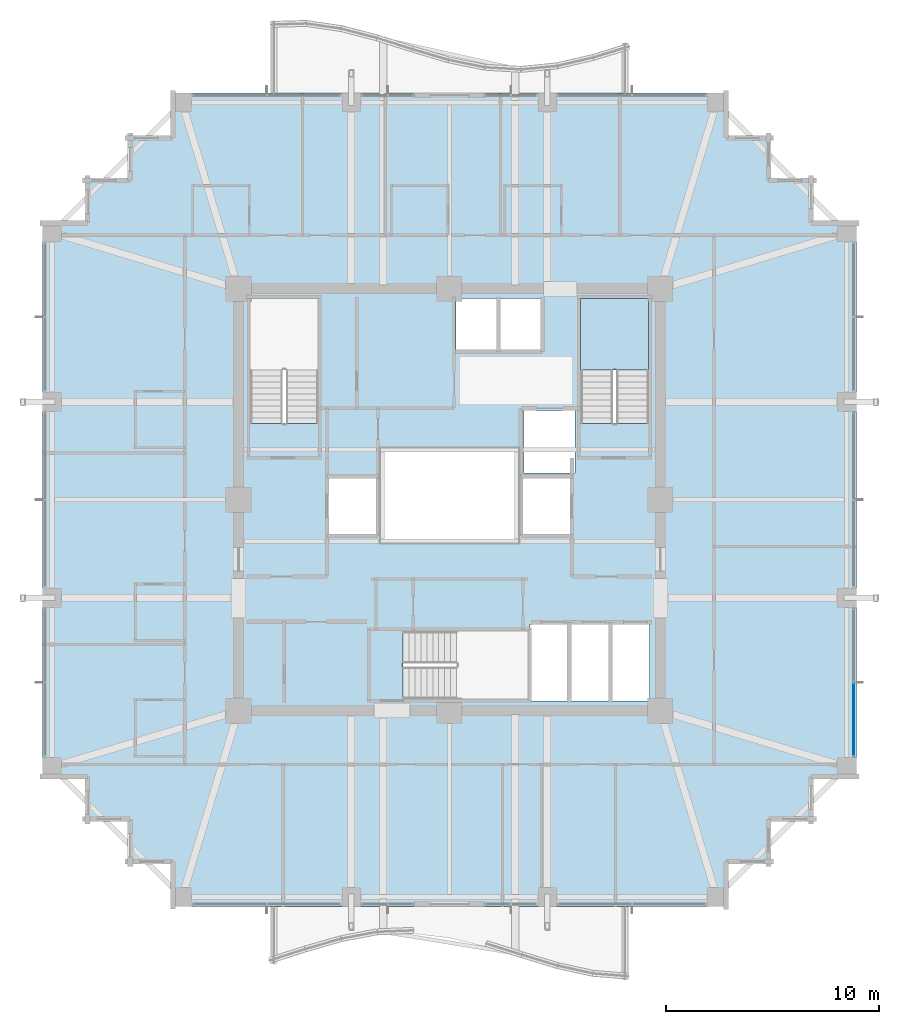
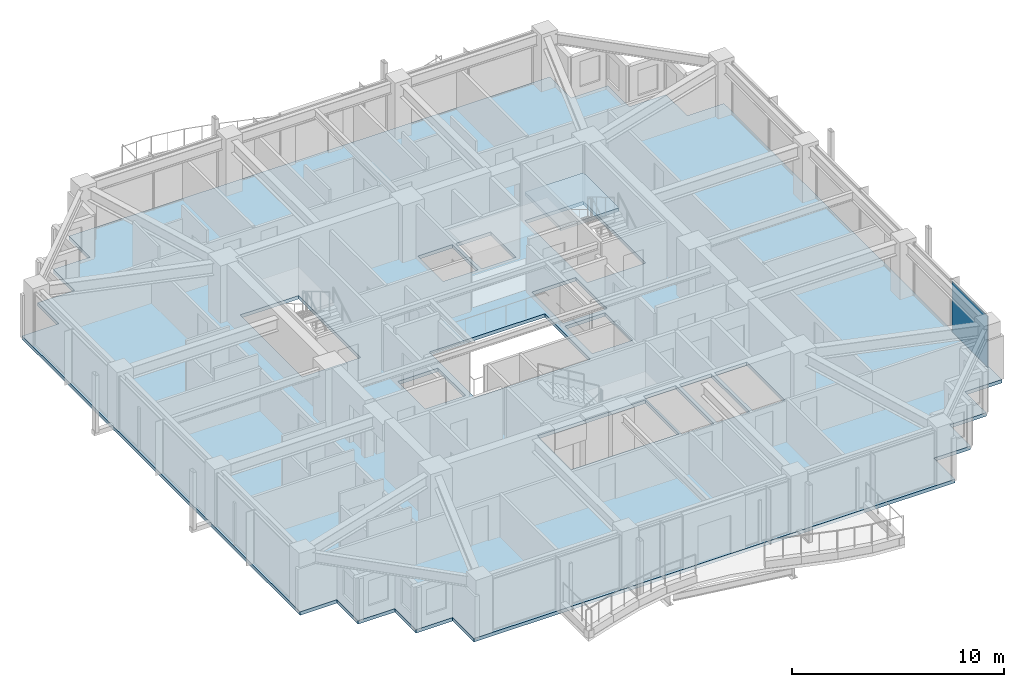
# One storey, part 23 of 32: 2 slabs, 1 plate, 2 elements without a shape of their own.
"""IFC4 building model written with IfcOpenShell, lengths in metres."""

from ifc_helpers import new_model, si_unit, direction, frame, origin, origin_2d, place, context, subcontext, project, spatial, polyline, rectangle, outline, extrude, material, layer, layer_set, type_object, element, aggregate, save


model = new_model("IFC4")

# Units and contexts
model_context = context("Model", 3, precision=1e-05, world=origin(), true_north=direction((0.0, 1.0)))
body_context = subcontext(model_context, "Body", "Model", "MODEL_VIEW")
ifc_project = project(units=[si_unit("LENGTHUNIT", "METRE"), si_unit("AREAUNIT", "SQUARE_METRE"), si_unit("VOLUMEUNIT", "CUBIC_METRE"), si_unit("PLANEANGLEUNIT", "RADIAN"), si_unit("MASSUNIT", "GRAM", prefix="KILO")], contexts=[model_context])

# Site, building, storey
site_placement = place(None, origin())
site = spatial("IfcSite", under=ifc_project, at=site_placement, CompositionType="ELEMENT")
building_placement = place(site_placement, origin())
building = spatial("IfcBuilding", under=site, at=building_placement, Name="Kolvaren Belvedere", CompositionType="ELEMENT")
storey_placement = place(building_placement, frame((0.0, 0.0, 160.199951171875)))
storey = spatial("IfcBuildingStorey", under=building, at=storey_placement, Name="L46", CompositionType="ELEMENT", Elevation=160.199951171875)

# Curtain wall, plate
ifc_material_1 = material(Name="Anodised pale-metal aluminium AA 6063-T6", Category="aluminium")
curtain_wall_type = type_object("IfcCurtainWallType", Name="CW-Z3-WAIST", PredefinedType="NOTDEFINED", material=ifc_material_1)
curtain_wall_placement = place(storey_placement, origin())
curtain_wall = element("IfcCurtainWall", 1, at=curtain_wall_placement, inside=storey, type_object=curtain_wall_type, Name="L46 Unitised Curtain Wall FCW-L46-E-B3", PredefinedType="NOTDEFINED")
ifc_material_2 = material(Name="Low-iron triple insulated glass", Category="glass")
ifc_layer_1 = layer(ifc_material_2, 0.028076171875)
ifc_layer_set_1 = layer_set([ifc_layer_1], Name="Low-iron triple insulated glass")
plate_type = type_object("IfcPlateType", Name="CW-PNL-VIS28", PredefinedType="CURTAIN_PANEL", material=ifc_layer_set_1)
plate_placement = place(storey_placement, frame((18.97998046875, -10.311279296875, 0.080078125), z_axis=(0.0, 0.0, 1.0), x_axis=(0.0, -1.0, 0.0)))
plate = element("IfcPlate", 2, at=plate_placement, type_object=plate_type, Name="FCW-L46-E-B3 Vision Glazing Panel 2", PredefinedType="CURTAIN_PANEL", context=body_context, shape_type="SweptSolid", body=[
    extrude(rectangle(XDim=3.392578125, YDim=0.028076171875, at=origin_2d()), origin(), (0.0, 0.0, 1.0), 2.93994140625),
])
aggregate(curtain_wall, [plate])

# Slab
ifc_material_3 = material(Name="Concrete C50/60", Category="concrete")
ifc_layer_2 = layer(ifc_material_3, 0.199951171875)
ifc_layer_set_2 = layer_set([ifc_layer_2], Name="Concrete C50/60")
slab_type_1 = type_object("IfcSlabType", Name="SL-FLR-200", PredefinedType="FLOOR", material=ifc_layer_set_2)
slab_1_placement = place(storey_placement, frame((0.0, 0.0, -0.199951171875)))
element("IfcSlab", 3, at=slab_1_placement, inside=storey, type_object=slab_type_1, Name="L46 Primary Structural Slab", PredefinedType="FLOOR", context=body_context, shape_type="SweptSolid", body=[
    extrude(outline(polyline([(-13.10009765625, -19.10009765625), (13.10009765625, -19.10009765625), (13.10009765625, -17.10009765625), (15.10009765625, -17.10009765625), (15.10009765625, -15.10009765625), (17.10009765625, -15.10009765625), (17.10009765625, -13.10009765625), (19.10009765625, -13.10009765625), (19.10009765625, 13.10009765625), (17.10009765625, 13.10009765625), (17.10009765625, 15.10009765625), (15.10009765625, 15.10009765625), (15.10009765625, 17.10009765625), (13.10009765625, 17.10009765625), (13.10009765625, 19.10009765625), (-13.10009765625, 19.10009765625), (-13.10009765625, 17.10009765625), (-15.10009765625, 17.10009765625), (-15.10009765625, 15.10009765625), (-17.10009765625, 15.10009765625), (-17.10009765625, 13.10009765625), (-19.10009765625, 13.10009765625), (-19.10009765625, -13.10009765625), (-17.10009765625, -13.10009765625), (-17.10009765625, -15.10009765625), (-15.10009765625, -15.10009765625), (-15.10009765625, -17.10009765625), (-13.10009765625, -17.10009765625), (-13.10009765625, -19.10009765625)]), holes=[polyline([(-9.35009765625, 3.580078125), (-6.159912109375, 3.580078125), (-6.159912109375, 9.449951171875), (-9.35009765625, 9.449951171875), (-9.35009765625, 3.580078125)]), polyline([(6.159912109375, 3.580078125), (9.35009765625, 3.580078125), (9.35009765625, 9.449951171875), (6.159912109375, 9.449951171875), (6.159912109375, 3.580078125)]), polyline([(-2.169921875, -9.35009765625), (3.699951171875, -9.35009765625), (3.699951171875, -6.159912109375), (-2.169921875, -6.159912109375), (-2.169921875, -9.35009765625)]), polyline([(-5.64990234375, -1.60009765625), (-3.449951171875, -1.60009765625), (-3.449951171875, 1.0), (-5.64990234375, 1.0), (-5.64990234375, -1.60009765625)]), polyline([(3.5, 1.25), (5.89990234375, 1.25), (5.89990234375, 4.199951171875), (3.5, 4.199951171875), (3.5, 1.25)]), polyline([(3.449951171875, -1.60009765625), (5.64990234375, -1.60009765625), (5.64990234375, 1.0), (3.449951171875, 1.0), (3.449951171875, -1.60009765625)]), polyline([(3.7900390625, -9.449951171875), (5.5400390625, -9.449951171875), (5.5400390625, -5.85009765625), (3.7900390625, -5.85009765625), (3.7900390625, -9.449951171875)]), polyline([(5.719970703125, -9.449951171875), (7.469970703125, -9.449951171875), (7.469970703125, -5.85009765625), (5.719970703125, -5.85009765625), (5.719970703125, -9.449951171875)]), polyline([(7.64990234375, -9.449951171875), (9.39990234375, -9.449951171875), (9.39990234375, -5.85009765625), (7.64990234375, -5.85009765625), (7.64990234375, -9.449951171875)]), polyline([(0.320068359375, 7.050048828125), (2.219970703125, 7.050048828125), (2.219970703125, 9.449951171875), (0.320068359375, 9.449951171875), (0.320068359375, 7.050048828125)]), polyline([(2.39990234375, 7.050048828125), (4.300048828125, 7.050048828125), (4.300048828125, 9.449951171875), (2.39990234375, 9.449951171875), (2.39990234375, 7.050048828125)]), polyline([(-3.14990234375, -1.949951171875), (3.14990234375, -1.949951171875), (3.14990234375, 2.35009765625), (-3.14990234375, 2.35009765625), (-3.14990234375, -1.949951171875)])]), origin(), (0.0, 0.0, 1.0), 0.199951171875),
])

# Stair, slab
ifc_material_4 = material(Name="Concrete C50/60", Category="concrete")
stair_type = type_object("IfcStairType", Name="ST-CORE-1520", PredefinedType="HALF_TURN_STAIR", material=ifc_material_4)
stair_placement = place(storey_placement, origin())
stair = element("IfcStair", 4, at=stair_placement, inside=storey, type_object=stair_type, Name="L46 Protected Exit Stair ST-2", PredefinedType="HALF_TURN_STAIR")
ifc_material_5 = material(Name="Concrete C50/60", Category="concrete")
ifc_layer_3 = layer(ifc_material_5, 0.260009765625)
ifc_layer_set_3 = layer_set([ifc_layer_3], Name="Concrete C50/60")
slab_type_2 = type_object("IfcSlabType", Name="SL-LAND-260", PredefinedType="LANDING", material=ifc_layer_set_3)
slab_2_placement = place(storey_placement, frame((0.0, 0.0, 1.449951171875)))
slab_2 = element("IfcSlab", 5, at=slab_2_placement, type_object=slab_type_2, Name="ST-2 landing 1", PredefinedType="LANDING", context=body_context, shape_type="SweptSolid", body=[
    extrude(outline(polyline([(9.35009765625, 6.090087890625), (9.35009765625, 9.449951171875), (6.159912109375, 9.449951171875), (6.159912109375, 6.090087890625), (9.35009765625, 6.090087890625)])), origin(), (0.0, 0.0, 1.0), 0.2001953125),
])
aggregate(stair, [slab_2])

save(model, "model.ifc")
